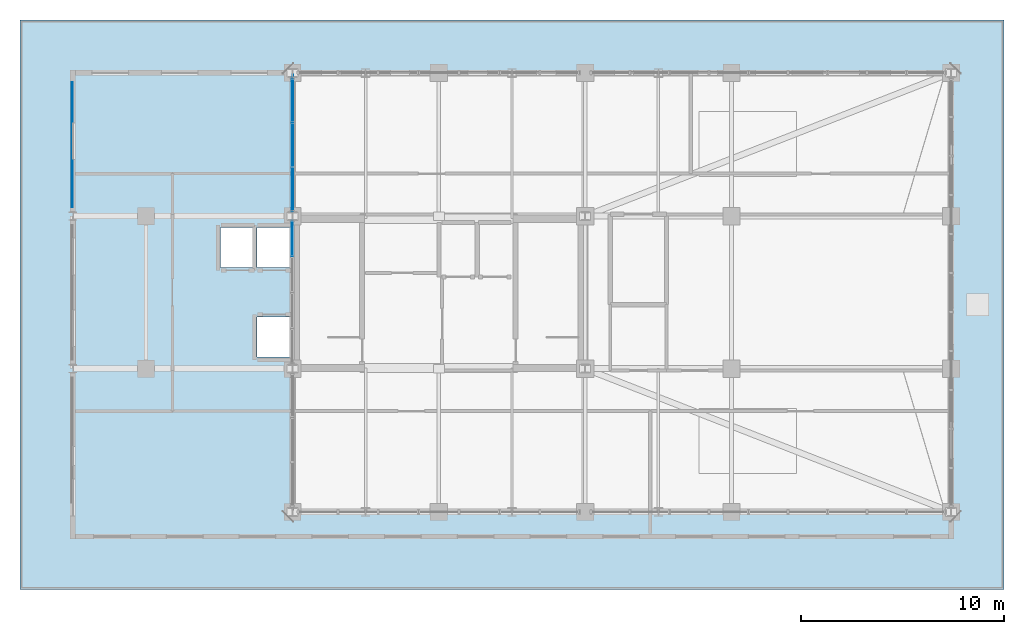
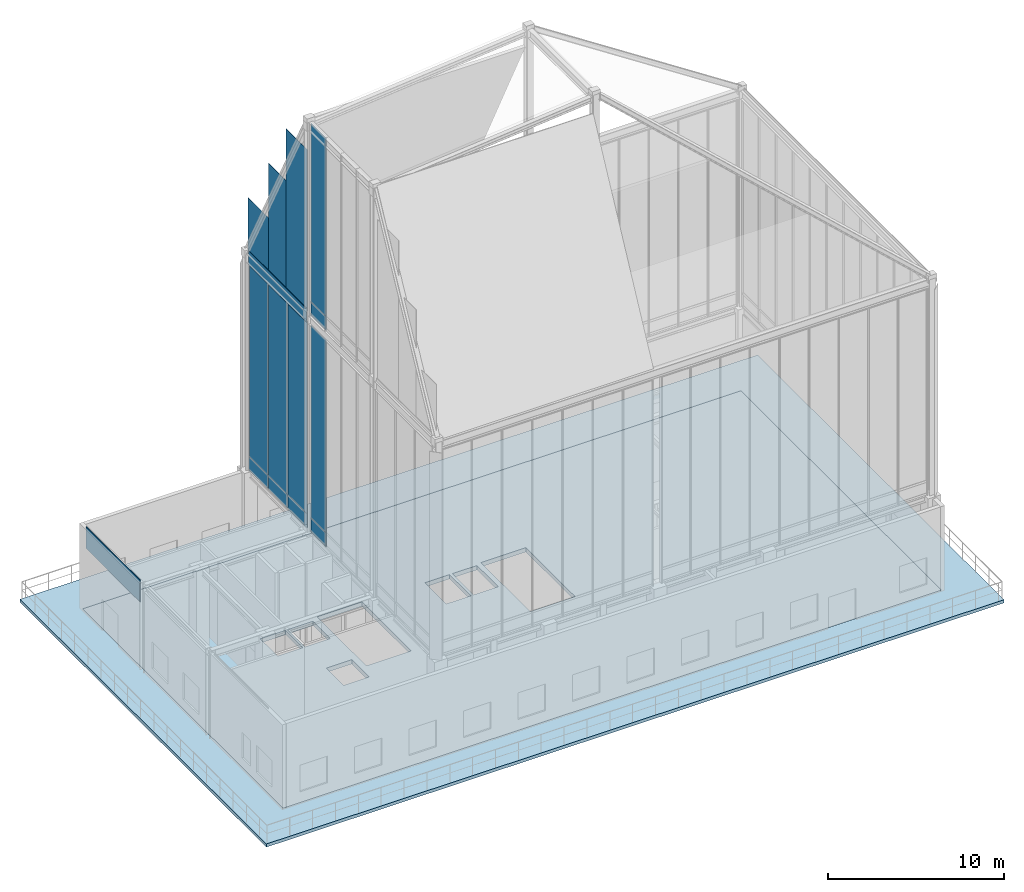
# One storey, part 42 of 49: 15 plates, 2 slabs, 3 elements without a shape of their own.
"""IFC4 building model written with IfcOpenShell, lengths in metres."""

from ifc_helpers import new_model, si_unit, direction, frame, origin, origin_2d, place, context, subcontext, project, spatial, polyline, rectangle, outline, extrude, source, transform, mapped, material, layer, layer_set, type_object, element, aggregate, save


model = new_model("IFC4")

# Units and contexts
model_context = context("Model", 3, precision=1e-05, world=origin(), true_north=direction((0.0, 1.0)))
body_context = subcontext(model_context, "Body", "Model", "MODEL_VIEW")
ifc_project = project(units=[si_unit("LENGTHUNIT", "METRE"), si_unit("AREAUNIT", "SQUARE_METRE"), si_unit("VOLUMEUNIT", "CUBIC_METRE"), si_unit("PLANEANGLEUNIT", "RADIAN"), si_unit("MASSUNIT", "GRAM", prefix="KILO")], contexts=[model_context])

# Site, building, storey
site_placement = place(None, origin())
site = spatial("IfcSite", under=ifc_project, at=site_placement, CompositionType="ELEMENT")
building_placement = place(site_placement, origin())
building = spatial("IfcBuilding", under=site, at=building_placement, Name="Kaliganga Portal Commons", CompositionType="ELEMENT")
storey_placement = place(building_placement, frame((0.0, 0.0, 298.0)))
storey = spatial("IfcBuildingStorey", under=building, at=storey_placement, Name="L77", CompositionType="ELEMENT", Elevation=298.0)

# Slabs
ifc_material_1 = material(Name="Concrete C50/60", Category="concrete")
ifc_layer_1 = layer(ifc_material_1, 0.300048828125)
ifc_layer_set_1 = layer_set([ifc_layer_1], Name="Concrete C50/60")
slab_type_1 = type_object("IfcSlabType", Name="SLB-OBS-300", PredefinedType="FLOOR", material=ifc_layer_set_1)
slab_1_placement = place(storey_placement, frame((0.0, 0.0, -0.300048828125)))
element("IfcSlab", 1, at=slab_1_placement, inside=storey, type_object=slab_type_1, Name="Structural Floor Slab L77", PredefinedType="FLOOR", context=body_context, shape_type="SweptSolid", body=[
    extrude(outline(polyline([(3.60009765625, 20.39990234375), (46.800048828125, 20.39990234375), (46.800048828125, 43.199951171875), (3.60009765625, 43.199951171875), (3.60009765625, 20.39990234375)]), holes=[polyline([(14.75, 30.25390625), (14.75, 35.85009765625), (17.699951171875, 35.85009765625), (17.699951171875, 30.25390625), (14.75, 30.25390625)]), polyline([(25.5, 30.25390625), (25.5, 35.85009765625), (28.449951171875, 35.85009765625), (28.449951171875, 30.25390625), (25.5, 30.25390625)]), polyline([(12.6650390625, 33.614990234375), (12.6650390625, 35.5849609375), (14.3349609375, 35.5849609375), (14.3349609375, 33.614990234375), (12.6650390625, 33.614990234375)]), polyline([(12.6650390625, 29.215087890625), (12.6650390625, 31.18505859375), (14.3349609375, 31.18505859375), (14.3349609375, 29.215087890625), (12.6650390625, 29.215087890625)]), polyline([(10.864990234375, 33.614990234375), (10.864990234375, 35.5849609375), (12.534912109375, 35.5849609375), (12.534912109375, 33.614990234375), (10.864990234375, 33.614990234375)]), polyline([(21.739990234375, 33.2900390625), (21.739990234375, 35.7099609375), (23.360107421875, 35.7099609375), (23.360107421875, 33.2900390625), (21.739990234375, 33.2900390625)]), polyline([(23.5400390625, 33.2900390625), (23.5400390625, 35.7099609375), (25.159912109375, 35.7099609375), (25.159912109375, 33.2900390625), (23.5400390625, 33.2900390625)])]), origin(), (0.0, 0.0, 1.0), 0.300048828125),
])
ifc_material_2 = material(Name="Concrete C40/50", Category="concrete")
ifc_layer_2 = layer(ifc_material_2, 0.219970703125)
ifc_layer_set_2 = layer_set([ifc_layer_2], Name="Concrete C40/50")
slab_type_2 = type_object("IfcSlabType", Name="SLB-TERR-220", PredefinedType="FLOOR", material=ifc_layer_set_2)
slab_2_placement = place(storey_placement, frame((0.0, 0.0, -0.219970703125)))
element("IfcSlab", 2, at=slab_2_placement, inside=storey, type_object=slab_type_2, Name="Crown Open Lookout Deck", PredefinedType="FLOOR", context=body_context, shape_type="SweptSolid", body=[
    extrude(outline(polyline([(1.0, 17.800048828125), (49.39990234375, 17.800048828125), (49.39990234375, 45.800048828125), (1.0, 45.800048828125), (1.0, 17.800048828125)]), holes=[polyline([(3.60009765625, 20.39990234375), (3.60009765625, 43.199951171875), (46.800048828125, 43.199951171875), (46.800048828125, 20.39990234375), (3.60009765625, 20.39990234375)])]), origin(), (0.0, 0.0, 1.0), 0.219970703125),
])

# Curtain wall, plates
ifc_material_3 = material(Name="Anodized Aluminium and Laminated Low-E Glass", Category="aluminium")
ifc_layer_3 = layer(ifc_material_3, 0.25)
ifc_layer_set_3 = layer_set([ifc_layer_3], Name="Anodized Aluminium and Laminated Low-E Glass")
curtain_wall_type = type_object("IfcCurtainWallType", Name="CW-SYS-06", PredefinedType="NOTDEFINED", material=ifc_layer_set_3)
curtain_wall_1_placement = place(storey_placement, origin())
curtain_wall_1 = element("IfcCurtainWall", 3, at=curtain_wall_1_placement, inside=storey, type_object=curtain_wall_type, Name="CW 06 L77 WN", PredefinedType="NOTDEFINED")
ifc_material_4 = material(Name="Insulated Dark Spandrel Panel", Category="metal")
ifc_layer_4 = layer(ifc_material_4, 0.044921875)
ifc_layer_set_4 = layer_set([ifc_layer_4], Name="Insulated Dark Spandrel Panel")
plate_type_1 = type_object("IfcPlateType", Name="PLT-SPN-45", PredefinedType="SHEET", material=ifc_layer_set_4)
shared_shape_1 = source(origin(), body_context, "Body", "SweptSolid", [
    extrude(rectangle(XDim=2.15673828125, YDim=0.044921875, at=origin_2d()), origin(), (0.0, 0.0, 1.0), 0.929931640625),
])
plate_1_placement = place(storey_placement, frame((14.39990234375, 37.458251953125, 6.01025390625), z_axis=(0.0, 0.0, 1.0), x_axis=(0.0, 1.0, 0.0)))
plate_1 = element("IfcPlate", 4, at=plate_1_placement, type_object=plate_type_1, Name="CW:06:L77:WN Spandrel 00", PredefinedType="SHEET", context=body_context, shape_type="MappedRepresentation", body=[
    mapped(shared_shape_1, transform((0.0, 0.0, 0.0), x_axis=(1.0, 0.0, 0.0), y_axis=(0.0, 1.0, 0.0), z_axis=(0.0, 0.0, 1.0), scale=1.0)),
])
plate_2_placement = place(storey_placement, frame((14.39990234375, 39.655029296875, 6.01025390625), z_axis=(0.0, 0.0, 1.0), x_axis=(0.0, 1.0, 0.0)))
plate_2 = element("IfcPlate", 5, at=plate_2_placement, type_object=plate_type_1, Name="CW:06:L77:WN Spandrel 01", PredefinedType="SHEET", context=body_context, shape_type="MappedRepresentation", body=[
    mapped(shared_shape_1, transform((0.0, 0.0, 0.0), x_axis=(1.0, 0.0, 0.0), y_axis=(0.0, 1.0, 0.0), z_axis=(0.0, 0.0, 1.0), scale=1.0)),
])
plate_3_placement = place(storey_placement, frame((14.39990234375, 41.851806640625, 6.01025390625), z_axis=(0.0, 0.0, 1.0), x_axis=(0.0, 1.0, 0.0)))
plate_3 = element("IfcPlate", 6, at=plate_3_placement, type_object=plate_type_1, Name="CW:06:L77:WN Spandrel 02", PredefinedType="SHEET", context=body_context, shape_type="MappedRepresentation", body=[
    mapped(shared_shape_1, transform((0.0, 0.0, 0.0), x_axis=(1.0, 0.0, 0.0), y_axis=(0.0, 1.0, 0.0), z_axis=(0.0, 0.0, 1.0), scale=1.0)),
])
ifc_material_5 = material(Name="Dark Solar-Control Laminated Low-E IGU", Category="glass")
ifc_layer_5 = layer(ifc_material_5, 0.028076171875)
ifc_layer_set_5 = layer_set([ifc_layer_5], Name="Dark Solar-Control Laminated Low-E IGU")
plate_type_2 = type_object("IfcPlateType", Name="PLT-GLZ-28", PredefinedType="CURTAIN_PANEL", material=ifc_layer_set_5)
shared_shape_2 = source(origin(), body_context, "Body", "SweptSolid", [
    extrude(rectangle(XDim=2.15673828125, YDim=0.028076171875, at=origin_2d()), origin(), (0.0, 0.0, 1.0), 13.35009765625),
])
plate_4_placement = place(storey_placement, frame((14.39990234375, 37.458251953125, 6.9599609375), z_axis=(0.0, 0.0, 1.0), x_axis=(0.0, 1.0, 0.0)))
plate_4 = element("IfcPlate", 7, at=plate_4_placement, type_object=plate_type_2, Name="CW:06:L77:WN Vision IGU 00", PredefinedType="CURTAIN_PANEL", context=body_context, shape_type="MappedRepresentation", body=[
    mapped(shared_shape_2, transform((0.0, 0.0, 0.0), x_axis=(1.0, 0.0, 0.0), y_axis=(0.0, 1.0, 0.0), z_axis=(0.0, 0.0, 1.0), scale=1.0)),
])
plate_5_placement = place(storey_placement, frame((14.39990234375, 39.655029296875, 6.9599609375), z_axis=(0.0, 0.0, 1.0), x_axis=(0.0, 1.0, 0.0)))
plate_5 = element("IfcPlate", 8, at=plate_5_placement, type_object=plate_type_2, Name="CW:06:L77:WN Vision IGU 01", PredefinedType="CURTAIN_PANEL", context=body_context, shape_type="MappedRepresentation", body=[
    mapped(shared_shape_2, transform((0.0, 0.0, 0.0), x_axis=(1.0, 0.0, 0.0), y_axis=(0.0, 1.0, 0.0), z_axis=(0.0, 0.0, 1.0), scale=1.0)),
])
plate_6_placement = place(storey_placement, frame((14.39990234375, 41.851806640625, 6.9599609375), z_axis=(0.0, 0.0, 1.0), x_axis=(0.0, 1.0, 0.0)))
plate_6 = element("IfcPlate", 9, at=plate_6_placement, type_object=plate_type_2, Name="CW:06:L77:WN Vision IGU 02", PredefinedType="CURTAIN_PANEL", context=body_context, shape_type="MappedRepresentation", body=[
    mapped(shared_shape_2, transform((0.0, 0.0, 0.0), x_axis=(1.0, 0.0, 0.0), y_axis=(0.0, 1.0, 0.0), z_axis=(0.0, 0.0, 1.0), scale=1.0)),
])
aggregate(curtain_wall_1, [plate_1, plate_4, plate_2, plate_5, plate_3, plate_6])

# Curtain wall, plate
curtain_wall_2_placement = place(storey_placement, origin())
curtain_wall_2 = element("IfcCurtainWall", 10, at=curtain_wall_2_placement, inside=storey, type_object=curtain_wall_type, Name="CW 06 L77 W", PredefinedType="NOTDEFINED")
shared_shape_3 = source(origin(), body_context, "Body", "SweptSolid", [
    extrude(rectangle(XDim=1.72998046875, YDim=0.044921875, at=origin_2d()), origin(), (0.0, 0.0, 1.0), 0.929931640625),
])
plate_7_placement = place(storey_placement, frame((14.39990234375, 35.054931640625, 6.01025390625), z_axis=(0.0, 0.0, 1.0), x_axis=(0.0, 1.0, 0.0)))
plate_7 = element("IfcPlate", 11, at=plate_7_placement, type_object=plate_type_1, Name="CW:06:L77:W Spandrel 03", PredefinedType="SHEET", context=body_context, shape_type="MappedRepresentation", body=[
    mapped(shared_shape_3, transform((0.0, 0.0, 0.0), x_axis=(1.0, 0.0, 0.0), y_axis=(0.0, 1.0, 0.0), z_axis=(0.0, 0.0, 1.0), scale=1.0)),
])

curtain_wall_3_placement = place(storey_placement, origin())
curtain_wall_3 = element("IfcCurtainWall", 12, at=curtain_wall_3_placement, inside=storey, type_object=curtain_wall_type, Name="CW 06 L77 WU", PredefinedType="NOTDEFINED")
plate_8_placement = place(storey_placement, frame((14.39990234375, 35.054931640625, 21.01025390625), z_axis=(0.0, 0.0, 1.0), x_axis=(0.0, 1.0, 0.0)))
plate_8 = element("IfcPlate", 13, at=plate_8_placement, type_object=plate_type_1, Name="CW:06:L77:WU Spandrel 03", PredefinedType="SHEET", context=body_context, shape_type="MappedRepresentation", body=[
    mapped(shared_shape_3, transform((0.0, 0.0, 0.0), x_axis=(1.0, 0.0, 0.0), y_axis=(0.0, 1.0, 0.0), z_axis=(0.0, 0.0, 1.0), scale=1.0)),
])

# Plate
shared_shape_4 = source(origin(), body_context, "Body", "SweptSolid", [
    extrude(rectangle(XDim=1.72998046875, YDim=0.028076171875, at=origin_2d()), origin(), (0.0, 0.0, 1.0), 13.35009765625),
])
plate_9_placement = place(storey_placement, frame((14.39990234375, 35.054931640625, 6.9599609375), z_axis=(0.0, 0.0, 1.0), x_axis=(0.0, 1.0, 0.0)))
plate_9 = element("IfcPlate", 14, at=plate_9_placement, type_object=plate_type_2, Name="CW:06:L77:W Vision IGU 03", PredefinedType="CURTAIN_PANEL", context=body_context, shape_type="MappedRepresentation", body=[
    mapped(shared_shape_4, transform((0.0, 0.0, 0.0), x_axis=(1.0, 0.0, 0.0), y_axis=(0.0, 1.0, 0.0), z_axis=(0.0, 0.0, 1.0), scale=1.0)),
])

aggregate(curtain_wall_2, [plate_7, plate_9])

shared_shape_5 = source(origin(), body_context, "Body", "SweptSolid", [
    extrude(rectangle(XDim=1.72998046875, YDim=0.028076171875, at=origin_2d()), origin(), (0.0, 0.0, 1.0), 12.360107421875),
])
plate_10_placement = place(storey_placement, frame((14.39990234375, 35.054931640625, 21.9599609375), z_axis=(0.0, 0.0, 1.0), x_axis=(0.0, 1.0, 0.0)))
plate_10 = element("IfcPlate", 15, at=plate_10_placement, type_object=plate_type_2, Name="CW:06:L77:WU Vision IGU 03", PredefinedType="CURTAIN_PANEL", context=body_context, shape_type="MappedRepresentation", body=[
    mapped(shared_shape_5, transform((0.0, 0.0, 0.0), x_axis=(1.0, 0.0, 0.0), y_axis=(0.0, 1.0, 0.0), z_axis=(0.0, 0.0, 1.0), scale=1.0)),
])

aggregate(curtain_wall_3, [plate_8, plate_10])

# Plates
shared_shape_6 = source(origin(), body_context, "Body", "SweptSolid", [
    extrude(rectangle(XDim=6.570068359375, YDim=0.044921875, at=origin_2d()), origin(), (0.0, 0.0, 1.0), 0.9599609375),
])
plate_11_placement = place(storey_placement, frame((14.3798828125, 39.6650390625, 20.239990234375), z_axis=(0.0, 0.0, 1.0), x_axis=(0.0, 1.0, 0.0)))
element("IfcPlate", 16, at=plate_11_placement, inside=storey, type_object=plate_type_1, Name="Crown Mid-Ring Spandrel Fascia West 3", PredefinedType="SHEET", context=body_context, shape_type="MappedRepresentation", body=[
    mapped(shared_shape_6, transform((0.0, 0.0, 0.0), x_axis=(1.0, 0.0, 0.0), y_axis=(0.0, 1.0, 0.0), z_axis=(0.0, 0.0, 1.0), scale=1.0)),
])
shared_shape_7 = source(origin(), body_context, "Body", "SweptSolid", [
    extrude(rectangle(XDim=6.14990234375, YDim=0.044921875, at=origin_2d()), origin(), (0.0, 0.0, 1.0), 1.5),
])
plate_12_placement = place(storey_placement, frame((3.580078125, 39.675048828125, 4.5), z_axis=(0.0, 0.0, 1.0), x_axis=(0.0, 1.0, 0.0)))
element("IfcPlate", 17, at=plate_12_placement, inside=storey, type_object=plate_type_1, Name="Crown Eave Spandrel Fascia West 3", PredefinedType="SHEET", context=body_context, shape_type="MappedRepresentation", body=[
    mapped(shared_shape_7, transform((0.0, 0.0, 0.0), x_axis=(1.0, 0.0, 0.0), y_axis=(0.0, 1.0, 0.0), z_axis=(0.0, 0.0, 1.0), scale=1.0)),
])
ifc_material_6 = material(Name="Perforated Bronze-Anodized Aluminium Solar Screen", Category="aluminium")
ifc_layer_6 = layer(ifc_material_6, 0.01806640625)
ifc_layer_set_6 = layer_set([ifc_layer_6], Name="Perforated Bronze-Anodized Aluminium Solar Screen")
plate_type_3 = type_object("IfcPlateType", Name="PLT-SCR-18", PredefinedType="USERDEFINED", material=ifc_layer_set_6)
shared_shape_8 = source(origin(), body_context, "Body", "SweptSolid", [
    extrude(rectangle(XDim=4.199951171875, YDim=0.01806640625, at=origin_2d()), origin(), (0.0, 0.0, 1.0), 3.800048828125),
])
plate_13_placement = place(storey_placement, frame((14.419921875, 41.0, 21.0), z_axis=(0.0, 0.0, 1.0), x_axis=(0.0, 1.0, 0.0)))
element("IfcPlate", 18, at=plate_13_placement, inside=storey, type_object=plate_type_3, Name="Crown West Gable Solar Screen WN-1", ObjectType="SOLAR SCREEN", PredefinedType="USERDEFINED", context=body_context, shape_type="MappedRepresentation", body=[
    mapped(shared_shape_8, transform((0.0, 0.0, 0.0), x_axis=(1.0, 0.0, 0.0), y_axis=(0.0, 1.0, 0.0), z_axis=(0.0, 0.0, 1.0), scale=1.0)),
])
shared_shape_9 = source(origin(), body_context, "Body", "SweptSolid", [
    extrude(rectangle(XDim=3.60009765625, YDim=0.01806640625, at=origin_2d()), origin(), (0.0, 0.0, 1.0), 7.60009765625),
])
plate_14_placement = place(storey_placement, frame((14.419921875, 39.0, 21.0), z_axis=(0.0, 0.0, 1.0), x_axis=(0.0, 1.0, 0.0)))
element("IfcPlate", 19, at=plate_14_placement, inside=storey, type_object=plate_type_3, Name="Crown West Gable Solar Screen WN-2", ObjectType="SOLAR SCREEN", PredefinedType="USERDEFINED", context=body_context, shape_type="MappedRepresentation", body=[
    mapped(shared_shape_9, transform((0.0, 0.0, 0.0), x_axis=(1.0, 0.0, 0.0), y_axis=(0.0, 1.0, 0.0), z_axis=(0.0, 0.0, 1.0), scale=1.0)),
])
shared_shape_10 = source(origin(), body_context, "Body", "SweptSolid", [
    extrude(rectangle(XDim=2.39990234375, YDim=0.01806640625, at=origin_2d()), origin(), (0.0, 0.0, 1.0), 11.199951171875),
])
plate_15_placement = place(storey_placement, frame((14.419921875, 37.60009765625, 21.0), z_axis=(0.0, 0.0, 1.0), x_axis=(0.0, 1.0, 0.0)))
element("IfcPlate", 20, at=plate_15_placement, inside=storey, type_object=plate_type_3, Name="Crown West Gable Solar Screen WN-3", ObjectType="SOLAR SCREEN", PredefinedType="USERDEFINED", context=body_context, shape_type="MappedRepresentation", body=[
    mapped(shared_shape_10, transform((0.0, 0.0, 0.0), x_axis=(1.0, 0.0, 0.0), y_axis=(0.0, 1.0, 0.0), z_axis=(0.0, 0.0, 1.0), scale=1.0)),
])

save(model, "model.ifc")
